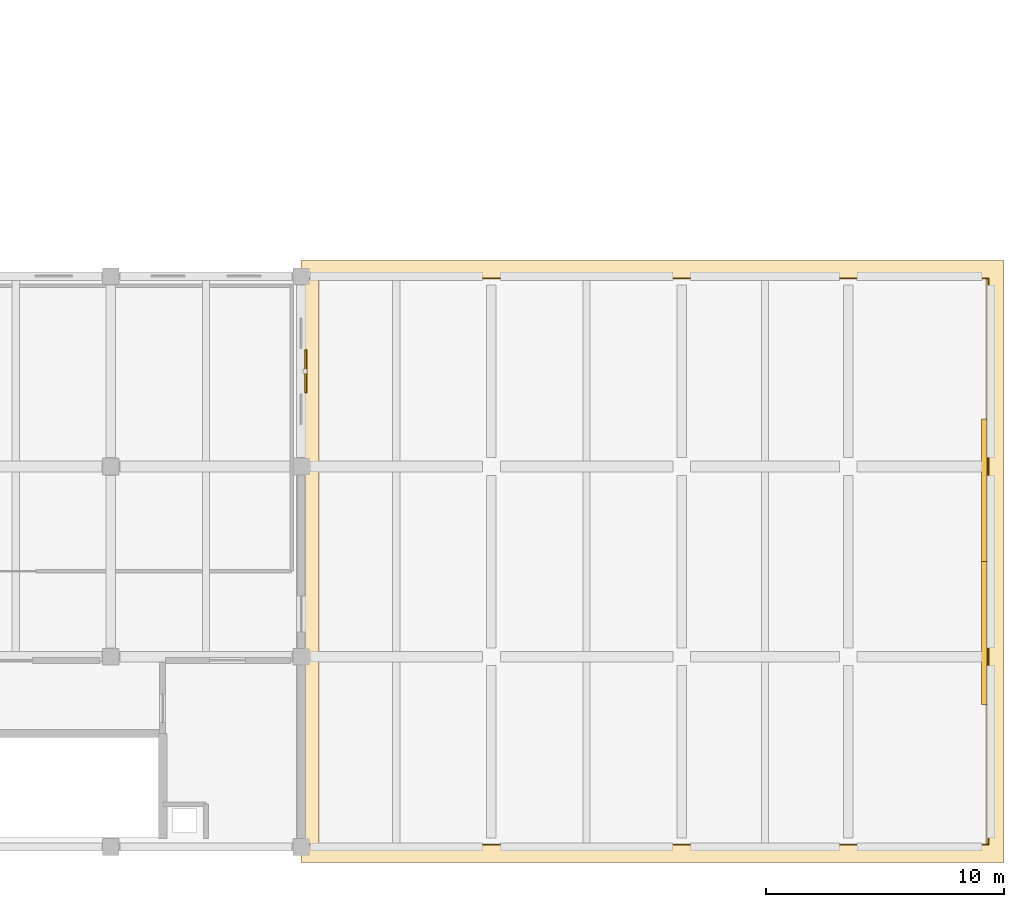
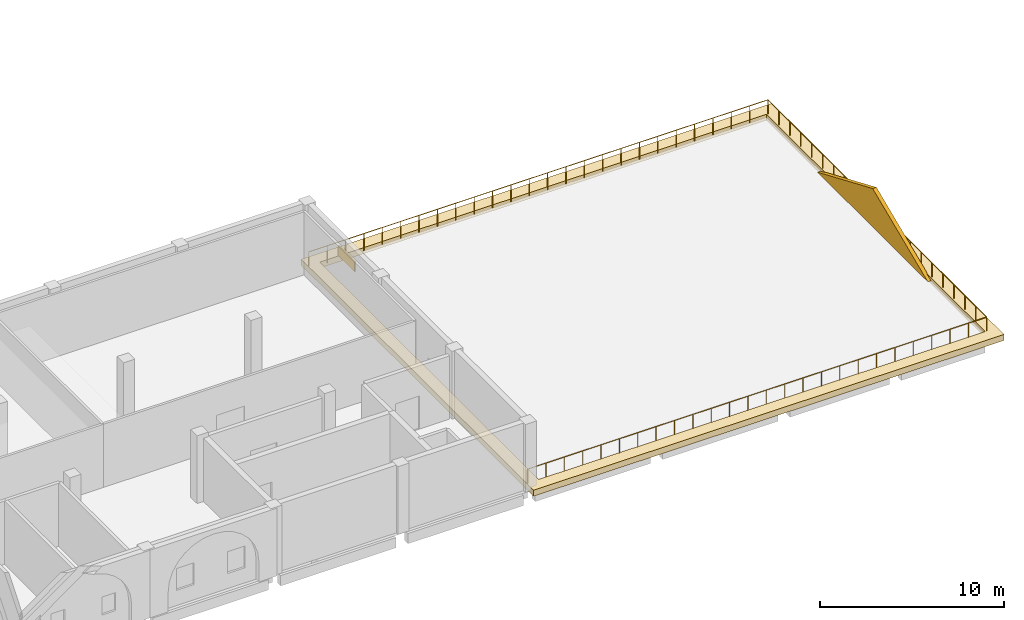
# One storey, part 45 of 45: 2 coverings, 1 railing, 1 shading device.
"""IFC4 building model written with IfcOpenShell, lengths in metres."""

import ifcopenshell
import ifcopenshell.guid

model = None  # the IFC model being written
_history = None  # IfcOwnerHistory: only IFC2X3 demands one
_inside = {}  # id of a spatial element -> (the spatial element, [elements in it])
_under = {}  # id of a project, library or spatial element -> (it, [spatial elements below it])
_declared = {}  # id of a project -> (the project, [libraries it declares])
_typed = {}  # id of a type object -> (the type object, [elements of that type])
_made_of = {}  # id of a material, layer set ... -> (it, [elements and type objects made of it])


def new_model(schema):
    """Start an empty IFC model of exactly this schema.

    Asked for "IFC4X3", IfcOpenShell would pick the latest addendum, in which some entities
    have other attributes; the version numbers below select the first issue.
    IFC2X3 requires an IfcOwnerHistory on every rooted entity: one is made here for all.
    """
    global model, _history
    if schema == "IFC4X3":
        model = ifcopenshell.file(schema_version=(4, 3, 0, 0))
    else:
        model = ifcopenshell.file(schema=schema)
    _inside.clear()
    _under.clear()
    _declared.clear()
    _typed.clear()
    _made_of.clear()
    _history = None
    if model.schema == "IFC2X3":
        org = make("IfcOrganization", Name="unknown")
        user = make(
            "IfcPersonAndOrganization",
            ThePerson=make("IfcPerson", FamilyName="unknown"),
            TheOrganization=org,
        )
        app = make(
            "IfcApplication",
            ApplicationDeveloper=org,
            Version="unknown",
            ApplicationFullName="unknown",
            ApplicationIdentifier="unknown",
        )
        _history = make(
            "IfcOwnerHistory",
            OwningUser=user,
            OwningApplication=app,
            ChangeAction="ADDED",
            CreationDate=0,
        )
    return model


def make(cls, **values):
    """One entity of the class cls with the attributes given. An attribute that is None is left unset."""
    return model.create_entity(
        cls, **{name: value for name, value in values.items() if value is not None}
    )


def rooted(cls, **values):
    """An entity with a GlobalId (a new one), such as an element, a storey or a relation."""
    return make(cls, GlobalId=ifcopenshell.guid.new(), OwnerHistory=_history, **values)


def si_unit(unit_type, name, prefix=None):
    """IfcSIUnit, for example si_unit("LENGTHUNIT", "METRE", prefix="MILLI")."""
    return make("IfcSIUnit", UnitType=unit_type, Prefix=prefix, Name=name)


def assignment(units):
    """IfcUnitAssignment: the units of a project."""
    return None if units is None else make("IfcUnitAssignment", Units=units)


def point(xyz):
    """IfcCartesianPoint."""
    return None if xyz is None else make("IfcCartesianPoint", Coordinates=xyz)


def direction(xyz):
    """IfcDirection."""
    return None if xyz is None else make("IfcDirection", DirectionRatios=xyz)


def frame(location, z_axis=None, x_axis=None):
    """IfcAxis2Placement3D, a coordinate frame: its origin and axes. An axis left out is left unset."""
    return make(
        "IfcAxis2Placement3D",
        Location=point(location),
        Axis=direction(z_axis),
        RefDirection=direction(x_axis),
    )


def frame_2d(location, x_axis=None):
    """IfcAxis2Placement2D, a coordinate frame in the plane: its origin and x axis."""
    return make(
        "IfcAxis2Placement2D", Location=point(location), RefDirection=direction(x_axis)
    )


def origin():
    """The frame at (0, 0, 0) with its axes left unset."""
    return frame((0.0, 0.0, 0.0))


def origin_2d():
    """The frame at (0, 0) in the plane with its x axis left unset."""
    return frame_2d((0.0, 0.0))


def place(relative_to, where):
    """IfcLocalPlacement: puts the frame where relative to a parent placement (None: the world)."""
    return make(
        "IfcLocalPlacement", PlacementRelTo=relative_to, RelativePlacement=where
    )


def context(
    kind, dimensions, precision=None, world=None, true_north=None, identifier=None
):
    """IfcGeometricRepresentationContext, for example the 3D "Model" context."""
    return make(
        "IfcGeometricRepresentationContext",
        ContextIdentifier=identifier,
        ContextType=kind,
        CoordinateSpaceDimension=dimensions,
        Precision=precision,
        WorldCoordinateSystem=world,
        TrueNorth=true_north,
    )


def subcontext(parent, identifier, kind, view, scale=None):
    """IfcGeometricRepresentationSubContext, for example "Body" below "Model"."""
    return make(
        "IfcGeometricRepresentationSubContext",
        ContextIdentifier=identifier,
        ContextType=kind,
        ParentContext=parent,
        TargetScale=scale,
        TargetView=view,
    )


def project(units=None, contexts=None):
    """IfcProject with its units and contexts."""
    return rooted(
        "IfcProject",
        Name="project",
        RepresentationContexts=contexts,
        UnitsInContext=assignment(units),
    )


def spatial(cls, under=None, at=None, **own):
    """A site, building, storey or space (cls), placed at a placement, below another one or the project."""
    s = rooted(cls, ObjectPlacement=at, **own)
    if under is not None:
        _under.setdefault(under.id(), (under, []))[1].append(s)
    return s


def polyline(points):
    """IfcPolyline through the points."""
    return make("IfcPolyline", Points=[point(p) for p in points])


def profile(cls, at=None, kind="AREA", **sizes):
    """A parametric profile (cls). Its sizes go by their IFC names, for example OverallWidth=200.0."""
    return make(cls, ProfileType=kind, Position=at, **sizes)


def rectangle(**sizes):
    """IfcRectangleProfileDef."""
    return profile("IfcRectangleProfileDef", **sizes)


def circle(**sizes):
    """IfcCircleProfileDef."""
    return profile("IfcCircleProfileDef", **sizes)


def outline(outer, holes=None, kind="AREA"):
    """IfcArbitraryClosedProfileDef: a profile drawn as a closed curve; with holes, ...WithVoids."""
    if holes is None:
        return make("IfcArbitraryClosedProfileDef", ProfileType=kind, OuterCurve=outer)
    return make(
        "IfcArbitraryProfileDefWithVoids",
        ProfileType=kind,
        OuterCurve=outer,
        InnerCurves=holes,
    )


def extrude(swept, where, along, depth):
    """IfcExtrudedAreaSolid: the profile swept, set in the frame where, extruded along a direction by depth."""
    return make(
        "IfcExtrudedAreaSolid",
        SweptArea=swept,
        Position=where,
        ExtrudedDirection=direction(along),
        Depth=depth,
    )


def shape(context_of_items, identifier, shape_type, items):
    """IfcShapeRepresentation: the items that make up one representation, for example the "Body"."""
    return make(
        "IfcShapeRepresentation",
        ContextOfItems=context_of_items,
        RepresentationIdentifier=identifier,
        RepresentationType=shape_type,
        Items=items,
    )


def material(Name=None, Category=None):
    """IfcMaterial."""
    return make("IfcMaterial", Name=Name, Category=Category)


def layer(
    of_material, thickness, ventilated=None, Name=None, Category=None, Priority=None
):
    """IfcMaterialLayer: one layer of a wall or slab, of a material (None: an air gap)."""
    return make(
        "IfcMaterialLayer",
        Material=of_material,
        LayerThickness=thickness,
        IsVentilated=ventilated,
        Name=Name,
        Category=Category,
        Priority=Priority,
    )


def layer_set(layers, Name=None):
    """IfcMaterialLayerSet."""
    return make("IfcMaterialLayerSet", MaterialLayers=layers, LayerSetName=Name)


def made_of(thing, what):
    """Note that an element or type object is made of a material, layer set ...; save() writes the relation."""
    if what is not None:
        _made_of.setdefault(what.id(), (what, []))[1].append(thing)
    return thing


def type_object(cls, material=None, **own):
    """A type object (cls), such as IfcWallType, which elements share."""
    return made_of(rooted(cls, **own), material)


def element(
    cls,
    number,
    at=None,
    inside=None,
    cuts=None,
    type_object=None,
    material=None,
    context=None,
    identifier="Body",
    shape_type=None,
    held_by="IfcProductDefinitionShape",
    body=None,
    shapes=None,
    **own,
):
    """One element of the class cls, such as IfcWall. Its Tag is "e" and its number.

    at: its placement. inside: the storey or other place that contains it. cuts: it is an
    opening in that element (IfcRelVoidsElement). A single representation is given by context,
    identifier, shape_type and body (its items); several are given by shapes. held_by: the class
    of the entity that holds the representations. save() writes the other relations.
    """
    e = rooted(cls, Tag="e%d" % number, ObjectPlacement=at, **own)
    if body is not None:
        shapes = [shape(context, identifier, shape_type, body)]
    if shapes is not None:
        e.Representation = make(held_by, Representations=shapes)
    if inside is not None:
        _inside.setdefault(inside.id(), (inside, []))[1].append(e)
    if cuts is not None:
        rooted(
            "IfcRelVoidsElement", RelatingBuildingElement=cuts, RelatedOpeningElement=e
        )
    if type_object is not None:
        _typed.setdefault(type_object.id(), (type_object, []))[1].append(e)
    return made_of(e, material)


def aggregate(whole, parts):
    """IfcRelAggregates: a whole, such as a stair, and the parts it consists of."""
    return rooted("IfcRelAggregates", RelatingObject=whole, RelatedObjects=parts)


def save(model, path):
    """Write the relations noted so far, then the file.

    IfcRelAggregates (storeys below a building ...), IfcRelContainedInSpatialStructure (elements
    in a storey), IfcRelDefinesByType, IfcRelAssociatesMaterial and IfcRelDeclares: one each for
    every whole, place, type object, material and project.
    """
    for whole, parts in _under.values():
        aggregate(whole, parts)
    for where, things in _inside.values():
        rooted(
            "IfcRelContainedInSpatialStructure",
            RelatedElements=things,
            RelatingStructure=where,
        )
    for kind, things in _typed.values():
        rooted("IfcRelDefinesByType", RelatedObjects=things, RelatingType=kind)
    for what, things in _made_of.values():
        rooted("IfcRelAssociatesMaterial", RelatedObjects=things, RelatingMaterial=what)
    for by, libraries in _declared.values():
        rooted("IfcRelDeclares", RelatingContext=by, RelatedDefinitions=libraries)
    model.write(path)


model = new_model("IFC4")

# Units and contexts
model_context = context("Model", 3, precision=1e-05, world=origin(), true_north=direction((0.0, 1.0)))
body_context = subcontext(model_context, "Body", "Model", "MODEL_VIEW")
ifc_project = project(units=[si_unit("LENGTHUNIT", "METRE"), si_unit("AREAUNIT", "SQUARE_METRE"), si_unit("VOLUMEUNIT", "CUBIC_METRE"), si_unit("PLANEANGLEUNIT", "RADIAN"), si_unit("MASSUNIT", "GRAM", prefix="KILO")], contexts=[model_context])

# Site, building, storey
site_placement = place(None, origin())
site = spatial("IfcSite", under=ifc_project, at=site_placement, CompositionType="ELEMENT")
building_placement = place(site_placement, origin())
building = spatial("IfcBuilding", under=site, at=building_placement, Name="Qorikala Patio Media Centre", CompositionType="ELEMENT")
storey_placement = place(building_placement, frame((0.0, 0.0, 9.89990234375)))
storey = spatial("IfcBuildingStorey", under=building, at=storey_placement, Name="L02", CompositionType="ELEMENT", Elevation=9.89990234375)

# Coverings
ifc_material_1 = material(Name="Comanche Granite Ashlar Stone", Category="masonry")
ifc_layer_1 = layer(ifc_material_1, 0.06005859375)
ifc_layer_set_1 = layer_set([ifc_layer_1], Name="Comanche Granite Ashlar Stone")
covering_type = type_object("IfcCoveringType", Name="COV-CLAD-STONE", PredefinedType="CLADDING", material=ifc_layer_set_1)
covering_1_placement = place(storey_placement, frame((0.0, 0.0, -0.199951171875)))
element("IfcCovering", 1, at=covering_1_placement, inside=storey, type_object=covering_type, Name="Classical Moulded Stone Cornice CORN-V7B-TOP", PredefinedType="CLADDING", context=body_context, shape_type="SweptSolid", body=[
    extrude(outline(polyline([(138.0, 2.35009765625), (167.550048828125, 2.35009765625), (167.550048828125, 27.64990234375), (138.0, 27.64990234375), (138.0, 2.35009765625)]), holes=[polyline([(138.75, 3.10009765625), (166.800048828125, 3.10009765625), (166.800048828125, 26.89990234375), (138.75, 26.89990234375), (138.75, 3.10009765625)])]), origin(), (0.0, 0.0, 1.0), 0.400146484375),
])
covering_2_placement = place(storey_placement, frame((166.840087890625, 9.0, 0.0), z_axis=(1.0, 0.0, 0.0), x_axis=(0.0, 1.0, 0.0)))
element("IfcCovering", 2, at=covering_2_placement, inside=storey, type_object=covering_type, Name="Spanish Colonial Espadana Stone Pediment ESP-V7B-E", PredefinedType="CLADDING", context=body_context, shape_type="SweptSolid", body=[
    extrude(outline(polyline([(0.0, 0.0), (12.0, 0.0), (6.0, 2.550048828125), (0.0, 0.0)])), origin(), (0.0, 0.0, -1.0), 0.239990234375),
])

# Railing
ifc_material_2 = material(Name="Wrought Bronze Baluster Guardrail")
railing_type = type_object("IfcRailingType", Name="RL-TERR-115", PredefinedType="GUARDRAIL", material=ifc_material_2)
railing_placement = place(storey_placement, frame((138.050048828125, 3.10009765625, 0.0)))
element("IfcRailing", 3, at=railing_placement, inside=storey, type_object=railing_type, Name="L02 Outdoor Terrace Guardrail RL-L02-GARDEN", PredefinedType="GUARDRAIL", context=body_context, shape_type="SweptSolid", body=[
    extrude(circle(Radius=0.02392578125, at=origin_2d()), frame((0.0, 0.0, 1.1259765625), z_axis=(1.0, 0.0, 0.0), x_axis=(0.0, 1.0, 0.0)), (0.0, 0.0, 1.0), 28.849853515625),
    extrude(circle(Radius=0.02392578125, at=origin_2d()), frame((28.849853515625, 0.0, 1.1259765625), z_axis=(0.0, 1.0, 0.0), x_axis=(-1.0, 0.0, 0.0)), (0.0, 0.0, 1.0), 23.7998046875),
    extrude(circle(Radius=0.02392578125, at=origin_2d()), frame((28.849853515625, 23.7998046875, 1.1259765625), z_axis=(-1.0, 0.0, 0.0), x_axis=(0.0, -1.0, 0.0)), (0.0, 0.0, 1.0), 28.849853515625),
    extrude(circle(Radius=0.02099609375, at=origin_2d()), origin(), (0.0, 0.0, 1.0), 1.101806640625),
    extrude(circle(Radius=0.02099609375, at=origin_2d()), frame((1.154052734375, 0.0, 0.0)), (0.0, 0.0, 1.0), 1.101806640625),
    extrude(circle(Radius=0.02099609375, at=origin_2d()), frame((2.30810546875, 0.0, 0.0)), (0.0, 0.0, 1.0), 1.101806640625),
    extrude(circle(Radius=0.02099609375, at=origin_2d()), frame((3.4619140625, 0.0, 0.0)), (0.0, 0.0, 1.0), 1.101806640625),
    extrude(circle(Radius=0.02099609375, at=origin_2d()), frame((4.615966796875, 0.0, 0.0)), (0.0, 0.0, 1.0), 1.101806640625),
    extrude(circle(Radius=0.02099609375, at=origin_2d()), frame((5.77001953125, 0.0, 0.0)), (0.0, 0.0, 1.0), 1.101806640625),
    extrude(circle(Radius=0.02099609375, at=origin_2d()), frame((6.924072265625, 0.0, 0.0)), (0.0, 0.0, 1.0), 1.101806640625),
    extrude(circle(Radius=0.02099609375, at=origin_2d()), frame((8.077880859375, 0.0, 0.0)), (0.0, 0.0, 1.0), 1.101806640625),
    extrude(circle(Radius=0.02099609375, at=origin_2d()), frame((9.23193359375, 0.0, 0.0)), (0.0, 0.0, 1.0), 1.101806640625),
    extrude(circle(Radius=0.02099609375, at=origin_2d()), frame((10.385986328125, 0.0, 0.0)), (0.0, 0.0, 1.0), 1.101806640625),
    extrude(circle(Radius=0.02099609375, at=origin_2d()), frame((11.5400390625, 0.0, 0.0)), (0.0, 0.0, 1.0), 1.101806640625),
    extrude(circle(Radius=0.02099609375, at=origin_2d()), frame((12.69384765625, 0.0, 0.0)), (0.0, 0.0, 1.0), 1.101806640625),
    extrude(circle(Radius=0.02099609375, at=origin_2d()), frame((13.847900390625, 0.0, 0.0)), (0.0, 0.0, 1.0), 1.101806640625),
    extrude(circle(Radius=0.02099609375, at=origin_2d()), frame((15.001953125, 0.0, 0.0)), (0.0, 0.0, 1.0), 1.101806640625),
    extrude(circle(Radius=0.02099609375, at=origin_2d()), frame((16.156005859375, 0.0, 0.0)), (0.0, 0.0, 1.0), 1.101806640625),
    extrude(circle(Radius=0.02099609375, at=origin_2d()), frame((17.309814453125, 0.0, 0.0)), (0.0, 0.0, 1.0), 1.101806640625),
    extrude(circle(Radius=0.02099609375, at=origin_2d()), frame((18.4638671875, 0.0, 0.0)), (0.0, 0.0, 1.0), 1.101806640625),
    extrude(circle(Radius=0.02099609375, at=origin_2d()), frame((19.617919921875, 0.0, 0.0)), (0.0, 0.0, 1.0), 1.101806640625),
    extrude(circle(Radius=0.02099609375, at=origin_2d()), frame((20.77197265625, 0.0, 0.0)), (0.0, 0.0, 1.0), 1.101806640625),
    extrude(circle(Radius=0.02099609375, at=origin_2d()), frame((21.92578125, 0.0, 0.0)), (0.0, 0.0, 1.0), 1.101806640625),
    extrude(circle(Radius=0.02099609375, at=origin_2d()), frame((23.079833984375, 0.0, 0.0)), (0.0, 0.0, 1.0), 1.101806640625),
    extrude(circle(Radius=0.02099609375, at=origin_2d()), frame((24.23388671875, 0.0, 0.0)), (0.0, 0.0, 1.0), 1.101806640625),
    extrude(circle(Radius=0.02099609375, at=origin_2d()), frame((25.387939453125, 0.0, 0.0)), (0.0, 0.0, 1.0), 1.101806640625),
    extrude(circle(Radius=0.02099609375, at=origin_2d()), frame((26.541748046875, 0.0, 0.0)), (0.0, 0.0, 1.0), 1.101806640625),
    extrude(circle(Radius=0.02099609375, at=origin_2d()), frame((27.69580078125, 0.0, 0.0)), (0.0, 0.0, 1.0), 1.101806640625),
    extrude(circle(Radius=0.02099609375, at=origin_2d()), frame((28.849853515625, 0.0, 0.0)), (0.0, 0.0, 1.0), 1.101806640625),
    extrude(circle(Radius=0.02099609375, at=origin_2d()), frame((28.849853515625, 1.18994140625, 0.0)), (0.0, 0.0, 1.0), 1.101806640625),
    extrude(circle(Radius=0.02099609375, at=origin_2d()), frame((28.849853515625, 2.3798828125, 0.0)), (0.0, 0.0, 1.0), 1.101806640625),
    extrude(circle(Radius=0.02099609375, at=origin_2d()), frame((28.849853515625, 3.570068359375, 0.0)), (0.0, 0.0, 1.0), 1.101806640625),
    extrude(circle(Radius=0.02099609375, at=origin_2d()), frame((28.849853515625, 4.760009765625, 0.0)), (0.0, 0.0, 1.0), 1.101806640625),
    extrude(circle(Radius=0.02099609375, at=origin_2d()), frame((28.849853515625, 5.949951171875, 0.0)), (0.0, 0.0, 1.0), 1.101806640625),
    extrude(circle(Radius=0.02099609375, at=origin_2d()), frame((28.849853515625, 7.139892578125, 0.0)), (0.0, 0.0, 1.0), 1.101806640625),
    extrude(circle(Radius=0.02099609375, at=origin_2d()), frame((28.849853515625, 8.329833984375, 0.0)), (0.0, 0.0, 1.0), 1.101806640625),
    extrude(circle(Radius=0.02099609375, at=origin_2d()), frame((28.849853515625, 9.52001953125, 0.0)), (0.0, 0.0, 1.0), 1.101806640625),
    extrude(circle(Radius=0.02099609375, at=origin_2d()), frame((28.849853515625, 10.7099609375, 0.0)), (0.0, 0.0, 1.0), 1.101806640625),
    extrude(circle(Radius=0.02099609375, at=origin_2d()), frame((28.849853515625, 11.89990234375, 0.0)), (0.0, 0.0, 1.0), 1.101806640625),
    extrude(circle(Radius=0.02099609375, at=origin_2d()), frame((28.849853515625, 13.08984375, 0.0)), (0.0, 0.0, 1.0), 1.101806640625),
    extrude(circle(Radius=0.02099609375, at=origin_2d()), frame((28.849853515625, 14.27978515625, 0.0)), (0.0, 0.0, 1.0), 1.101806640625),
    extrude(circle(Radius=0.02099609375, at=origin_2d()), frame((28.849853515625, 15.469970703125, 0.0)), (0.0, 0.0, 1.0), 1.101806640625),
    extrude(circle(Radius=0.02099609375, at=origin_2d()), frame((28.849853515625, 16.659912109375, 0.0)), (0.0, 0.0, 1.0), 1.101806640625),
    extrude(circle(Radius=0.02099609375, at=origin_2d()), frame((28.849853515625, 17.849853515625, 0.0)), (0.0, 0.0, 1.0), 1.101806640625),
    extrude(circle(Radius=0.02099609375, at=origin_2d()), frame((28.849853515625, 19.039794921875, 0.0)), (0.0, 0.0, 1.0), 1.101806640625),
    extrude(circle(Radius=0.02099609375, at=origin_2d()), frame((28.849853515625, 20.229736328125, 0.0)), (0.0, 0.0, 1.0), 1.101806640625),
    extrude(circle(Radius=0.02099609375, at=origin_2d()), frame((28.849853515625, 21.419921875, 0.0)), (0.0, 0.0, 1.0), 1.101806640625),
    extrude(circle(Radius=0.02099609375, at=origin_2d()), frame((28.849853515625, 22.60986328125, 0.0)), (0.0, 0.0, 1.0), 1.101806640625),
    extrude(circle(Radius=0.02099609375, at=origin_2d()), frame((28.849853515625, 23.7998046875, 0.0)), (0.0, 0.0, 1.0), 1.101806640625),
    extrude(circle(Radius=0.02099609375, at=origin_2d()), frame((27.69580078125, 23.7998046875, 0.0)), (0.0, 0.0, 1.0), 1.101806640625),
    extrude(circle(Radius=0.02099609375, at=origin_2d()), frame((26.541748046875, 23.7998046875, 0.0)), (0.0, 0.0, 1.0), 1.101806640625),
    extrude(circle(Radius=0.02099609375, at=origin_2d()), frame((25.387939453125, 23.7998046875, 0.0)), (0.0, 0.0, 1.0), 1.101806640625),
    extrude(circle(Radius=0.02099609375, at=origin_2d()), frame((24.23388671875, 23.7998046875, 0.0)), (0.0, 0.0, 1.0), 1.101806640625),
    extrude(circle(Radius=0.02099609375, at=origin_2d()), frame((23.079833984375, 23.7998046875, 0.0)), (0.0, 0.0, 1.0), 1.101806640625),
    extrude(circle(Radius=0.02099609375, at=origin_2d()), frame((21.92578125, 23.7998046875, 0.0)), (0.0, 0.0, 1.0), 1.101806640625),
    extrude(circle(Radius=0.02099609375, at=origin_2d()), frame((20.77197265625, 23.7998046875, 0.0)), (0.0, 0.0, 1.0), 1.101806640625),
    extrude(circle(Radius=0.02099609375, at=origin_2d()), frame((19.617919921875, 23.7998046875, 0.0)), (0.0, 0.0, 1.0), 1.101806640625),
    extrude(circle(Radius=0.02099609375, at=origin_2d()), frame((18.4638671875, 23.7998046875, 0.0)), (0.0, 0.0, 1.0), 1.101806640625),
    extrude(circle(Radius=0.02099609375, at=origin_2d()), frame((17.309814453125, 23.7998046875, 0.0)), (0.0, 0.0, 1.0), 1.101806640625),
    extrude(circle(Radius=0.02099609375, at=origin_2d()), frame((16.156005859375, 23.7998046875, 0.0)), (0.0, 0.0, 1.0), 1.101806640625),
    extrude(circle(Radius=0.02099609375, at=origin_2d()), frame((15.001953125, 23.7998046875, 0.0)), (0.0, 0.0, 1.0), 1.101806640625),
    extrude(circle(Radius=0.02099609375, at=origin_2d()), frame((13.847900390625, 23.7998046875, 0.0)), (0.0, 0.0, 1.0), 1.101806640625),
    extrude(circle(Radius=0.02099609375, at=origin_2d()), frame((12.69384765625, 23.7998046875, 0.0)), (0.0, 0.0, 1.0), 1.101806640625),
    extrude(circle(Radius=0.02099609375, at=origin_2d()), frame((11.5400390625, 23.7998046875, 0.0)), (0.0, 0.0, 1.0), 1.101806640625),
    extrude(circle(Radius=0.02099609375, at=origin_2d()), frame((10.385986328125, 23.7998046875, 0.0)), (0.0, 0.0, 1.0), 1.101806640625),
    extrude(circle(Radius=0.02099609375, at=origin_2d()), frame((9.23193359375, 23.7998046875, 0.0)), (0.0, 0.0, 1.0), 1.101806640625),
    extrude(circle(Radius=0.02099609375, at=origin_2d()), frame((8.077880859375, 23.7998046875, 0.0)), (0.0, 0.0, 1.0), 1.101806640625),
    extrude(circle(Radius=0.02099609375, at=origin_2d()), frame((6.924072265625, 23.7998046875, 0.0)), (0.0, 0.0, 1.0), 1.101806640625),
    extrude(circle(Radius=0.02099609375, at=origin_2d()), frame((5.77001953125, 23.7998046875, 0.0)), (0.0, 0.0, 1.0), 1.101806640625),
    extrude(circle(Radius=0.02099609375, at=origin_2d()), frame((4.615966796875, 23.7998046875, 0.0)), (0.0, 0.0, 1.0), 1.101806640625),
    extrude(circle(Radius=0.02099609375, at=origin_2d()), frame((3.4619140625, 23.7998046875, 0.0)), (0.0, 0.0, 1.0), 1.101806640625),
    extrude(circle(Radius=0.02099609375, at=origin_2d()), frame((2.30810546875, 23.7998046875, 0.0)), (0.0, 0.0, 1.0), 1.101806640625),
    extrude(circle(Radius=0.02099609375, at=origin_2d()), frame((1.154052734375, 23.7998046875, 0.0)), (0.0, 0.0, 1.0), 1.101806640625),
    extrude(circle(Radius=0.02099609375, at=origin_2d()), frame((0.0, 23.7998046875, 0.0)), (0.0, 0.0, 1.0), 1.101806640625),
])

# Shading device
ifc_material_3 = material(Name="Bronze Anodised Aluminium", Category="aluminium")
ifc_layer_2 = layer(ifc_material_3, 0.080078125)
ifc_layer_set_2 = layer_set([ifc_layer_2], Name="Bronze Anodised Aluminium")
shading_device_type = type_object("IfcShadingDeviceType", Name="SHD-LOUVRE", PredefinedType="JALOUSIE", material=ifc_layer_set_2)
shading_device_placement = place(storey_placement, frame((138.199951171875, 23.0, 2.675048828125), z_axis=(0.0, 0.0, 1.0), x_axis=(0.0, -1.0, 0.0)))
element("IfcShadingDevice", 4, at=shading_device_placement, inside=storey, type_object=shading_device_type, Name="L02 Acoustic Intake Louvre 012", PredefinedType="JALOUSIE", context=body_context, shape_type="SweptSolid", body=[
    extrude(rectangle(XDim=1.800048828125, YDim=0.080078125, at=origin_2d()), origin(), (0.0, 0.0, 1.0), 0.64990234375),
])

save(model, "model.ifc")
